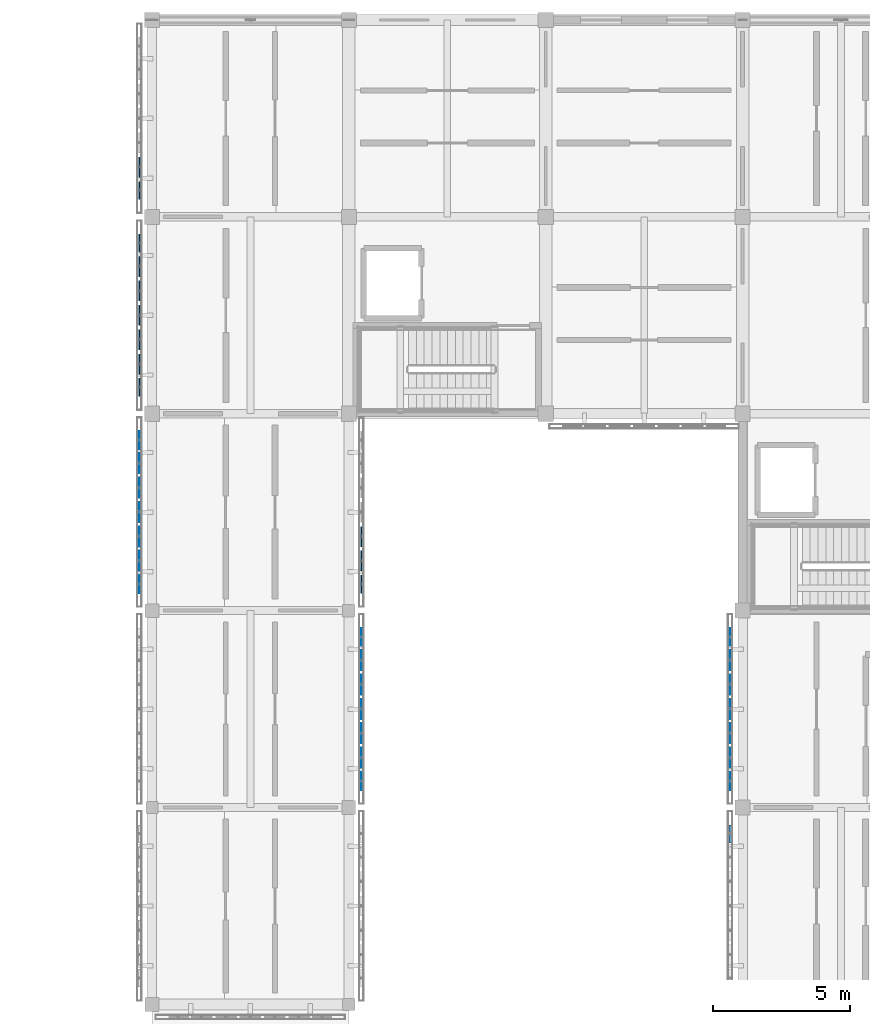
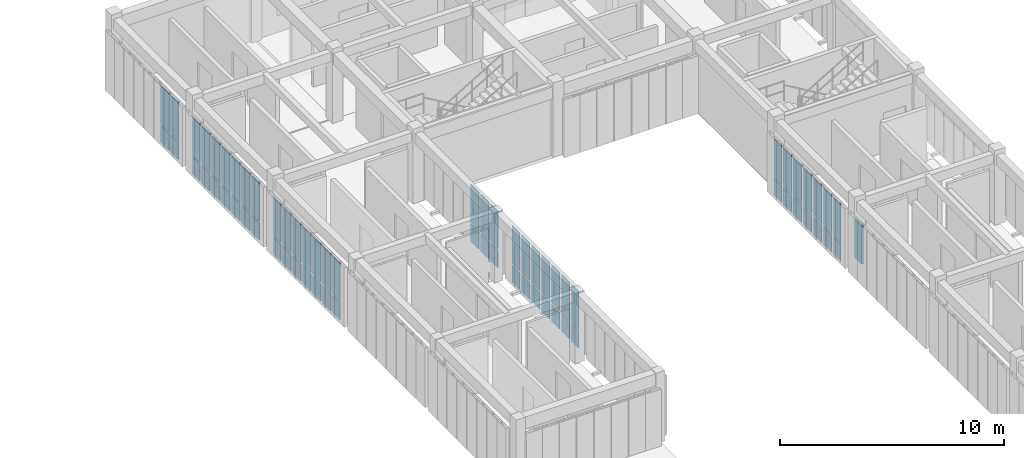
# One storey, part 48 of 67: 67 plates, 7 elements without a shape of their own.
"""IFC4 building model written with IfcOpenShell, lengths in metres."""

import ifcopenshell
import ifcopenshell.guid

model = None  # the IFC model being written
_history = None  # IfcOwnerHistory: only IFC2X3 demands one
_inside = {}  # id of a spatial element -> (the spatial element, [elements in it])
_under = {}  # id of a project, library or spatial element -> (it, [spatial elements below it])
_declared = {}  # id of a project -> (the project, [libraries it declares])
_typed = {}  # id of a type object -> (the type object, [elements of that type])
_made_of = {}  # id of a material, layer set ... -> (it, [elements and type objects made of it])


def new_model(schema):
    """Start an empty IFC model of exactly this schema.

    Asked for "IFC4X3", IfcOpenShell would pick the latest addendum, in which some entities
    have other attributes; the version numbers below select the first issue.
    IFC2X3 requires an IfcOwnerHistory on every rooted entity: one is made here for all.
    """
    global model, _history
    if schema == "IFC4X3":
        model = ifcopenshell.file(schema_version=(4, 3, 0, 0))
    else:
        model = ifcopenshell.file(schema=schema)
    _inside.clear()
    _under.clear()
    _declared.clear()
    _typed.clear()
    _made_of.clear()
    _history = None
    if model.schema == "IFC2X3":
        org = make("IfcOrganization", Name="unknown")
        user = make(
            "IfcPersonAndOrganization",
            ThePerson=make("IfcPerson", FamilyName="unknown"),
            TheOrganization=org,
        )
        app = make(
            "IfcApplication",
            ApplicationDeveloper=org,
            Version="unknown",
            ApplicationFullName="unknown",
            ApplicationIdentifier="unknown",
        )
        _history = make(
            "IfcOwnerHistory",
            OwningUser=user,
            OwningApplication=app,
            ChangeAction="ADDED",
            CreationDate=0,
        )
    return model


def make(cls, **values):
    """One entity of the class cls with the attributes given. An attribute that is None is left unset."""
    return model.create_entity(
        cls, **{name: value for name, value in values.items() if value is not None}
    )


def rooted(cls, **values):
    """An entity with a GlobalId (a new one), such as an element, a storey or a relation."""
    return make(cls, GlobalId=ifcopenshell.guid.new(), OwnerHistory=_history, **values)


def si_unit(unit_type, name, prefix=None):
    """IfcSIUnit, for example si_unit("LENGTHUNIT", "METRE", prefix="MILLI")."""
    return make("IfcSIUnit", UnitType=unit_type, Prefix=prefix, Name=name)


def assignment(units):
    """IfcUnitAssignment: the units of a project."""
    return None if units is None else make("IfcUnitAssignment", Units=units)


def point(xyz):
    """IfcCartesianPoint."""
    return None if xyz is None else make("IfcCartesianPoint", Coordinates=xyz)


def direction(xyz):
    """IfcDirection."""
    return None if xyz is None else make("IfcDirection", DirectionRatios=xyz)


def frame(location, z_axis=None, x_axis=None):
    """IfcAxis2Placement3D, a coordinate frame: its origin and axes. An axis left out is left unset."""
    return make(
        "IfcAxis2Placement3D",
        Location=point(location),
        Axis=direction(z_axis),
        RefDirection=direction(x_axis),
    )


def frame_2d(location, x_axis=None):
    """IfcAxis2Placement2D, a coordinate frame in the plane: its origin and x axis."""
    return make(
        "IfcAxis2Placement2D", Location=point(location), RefDirection=direction(x_axis)
    )


def origin():
    """The frame at (0, 0, 0) with its axes left unset."""
    return frame((0.0, 0.0, 0.0))


def origin_2d():
    """The frame at (0, 0) in the plane with its x axis left unset."""
    return frame_2d((0.0, 0.0))


def place(relative_to, where):
    """IfcLocalPlacement: puts the frame where relative to a parent placement (None: the world)."""
    return make(
        "IfcLocalPlacement", PlacementRelTo=relative_to, RelativePlacement=where
    )


def context(
    kind, dimensions, precision=None, world=None, true_north=None, identifier=None
):
    """IfcGeometricRepresentationContext, for example the 3D "Model" context."""
    return make(
        "IfcGeometricRepresentationContext",
        ContextIdentifier=identifier,
        ContextType=kind,
        CoordinateSpaceDimension=dimensions,
        Precision=precision,
        WorldCoordinateSystem=world,
        TrueNorth=true_north,
    )


def subcontext(parent, identifier, kind, view, scale=None):
    """IfcGeometricRepresentationSubContext, for example "Body" below "Model"."""
    return make(
        "IfcGeometricRepresentationSubContext",
        ContextIdentifier=identifier,
        ContextType=kind,
        ParentContext=parent,
        TargetScale=scale,
        TargetView=view,
    )


def project(units=None, contexts=None):
    """IfcProject with its units and contexts."""
    return rooted(
        "IfcProject",
        Name="project",
        RepresentationContexts=contexts,
        UnitsInContext=assignment(units),
    )


def spatial(cls, under=None, at=None, **own):
    """A site, building, storey or space (cls), placed at a placement, below another one or the project."""
    s = rooted(cls, ObjectPlacement=at, **own)
    if under is not None:
        _under.setdefault(under.id(), (under, []))[1].append(s)
    return s


def profile(cls, at=None, kind="AREA", **sizes):
    """A parametric profile (cls). Its sizes go by their IFC names, for example OverallWidth=200.0."""
    return make(cls, ProfileType=kind, Position=at, **sizes)


def rectangle(**sizes):
    """IfcRectangleProfileDef."""
    return profile("IfcRectangleProfileDef", **sizes)


def extrude(swept, where, along, depth):
    """IfcExtrudedAreaSolid: the profile swept, set in the frame where, extruded along a direction by depth."""
    return make(
        "IfcExtrudedAreaSolid",
        SweptArea=swept,
        Position=where,
        ExtrudedDirection=direction(along),
        Depth=depth,
    )


def shape(context_of_items, identifier, shape_type, items):
    """IfcShapeRepresentation: the items that make up one representation, for example the "Body"."""
    return make(
        "IfcShapeRepresentation",
        ContextOfItems=context_of_items,
        RepresentationIdentifier=identifier,
        RepresentationType=shape_type,
        Items=items,
    )


def material(Name=None, Category=None):
    """IfcMaterial."""
    return make("IfcMaterial", Name=Name, Category=Category)


def layer(
    of_material, thickness, ventilated=None, Name=None, Category=None, Priority=None
):
    """IfcMaterialLayer: one layer of a wall or slab, of a material (None: an air gap)."""
    return make(
        "IfcMaterialLayer",
        Material=of_material,
        LayerThickness=thickness,
        IsVentilated=ventilated,
        Name=Name,
        Category=Category,
        Priority=Priority,
    )


def layer_set(layers, Name=None):
    """IfcMaterialLayerSet."""
    return make("IfcMaterialLayerSet", MaterialLayers=layers, LayerSetName=Name)


def made_of(thing, what):
    """Note that an element or type object is made of a material, layer set ...; save() writes the relation."""
    if what is not None:
        _made_of.setdefault(what.id(), (what, []))[1].append(thing)
    return thing


def type_object(cls, material=None, **own):
    """A type object (cls), such as IfcWallType, which elements share."""
    return made_of(rooted(cls, **own), material)


def element(
    cls,
    number,
    at=None,
    inside=None,
    cuts=None,
    type_object=None,
    material=None,
    context=None,
    identifier="Body",
    shape_type=None,
    held_by="IfcProductDefinitionShape",
    body=None,
    shapes=None,
    **own,
):
    """One element of the class cls, such as IfcWall. Its Tag is "e" and its number.

    at: its placement. inside: the storey or other place that contains it. cuts: it is an
    opening in that element (IfcRelVoidsElement). A single representation is given by context,
    identifier, shape_type and body (its items); several are given by shapes. held_by: the class
    of the entity that holds the representations. save() writes the other relations.
    """
    e = rooted(cls, Tag="e%d" % number, ObjectPlacement=at, **own)
    if body is not None:
        shapes = [shape(context, identifier, shape_type, body)]
    if shapes is not None:
        e.Representation = make(held_by, Representations=shapes)
    if inside is not None:
        _inside.setdefault(inside.id(), (inside, []))[1].append(e)
    if cuts is not None:
        rooted(
            "IfcRelVoidsElement", RelatingBuildingElement=cuts, RelatedOpeningElement=e
        )
    if type_object is not None:
        _typed.setdefault(type_object.id(), (type_object, []))[1].append(e)
    return made_of(e, material)


def aggregate(whole, parts):
    """IfcRelAggregates: a whole, such as a stair, and the parts it consists of."""
    return rooted("IfcRelAggregates", RelatingObject=whole, RelatedObjects=parts)


def save(model, path):
    """Write the relations noted so far, then the file.

    IfcRelAggregates (storeys below a building ...), IfcRelContainedInSpatialStructure (elements
    in a storey), IfcRelDefinesByType, IfcRelAssociatesMaterial and IfcRelDeclares: one each for
    every whole, place, type object, material and project.
    """
    for whole, parts in _under.values():
        aggregate(whole, parts)
    for where, things in _inside.values():
        rooted(
            "IfcRelContainedInSpatialStructure",
            RelatedElements=things,
            RelatingStructure=where,
        )
    for kind, things in _typed.values():
        rooted("IfcRelDefinesByType", RelatedObjects=things, RelatingType=kind)
    for what, things in _made_of.values():
        rooted("IfcRelAssociatesMaterial", RelatedObjects=things, RelatingMaterial=what)
    for by, libraries in _declared.values():
        rooted("IfcRelDeclares", RelatingContext=by, RelatedDefinitions=libraries)
    model.write(path)


model = new_model("IFC4")

# Units and contexts
model_context = context("Model", 3, precision=1e-05, world=origin(), true_north=direction((0.0, 1.0)))
body_context = subcontext(model_context, "Body", "Model", "MODEL_VIEW")
ifc_project = project(units=[si_unit("LENGTHUNIT", "METRE"), si_unit("AREAUNIT", "SQUARE_METRE"), si_unit("VOLUMEUNIT", "CUBIC_METRE"), si_unit("PLANEANGLEUNIT", "RADIAN"), si_unit("MASSUNIT", "GRAM", prefix="KILO")], contexts=[model_context])

# Site, building, storey
site_placement = place(None, origin())
site = spatial("IfcSite", under=ifc_project, at=site_placement, CompositionType="ELEMENT")
building_placement = place(site_placement, origin())
building = spatial("IfcBuilding", under=site, at=building_placement, Name="Aldebral Square Health Centre", CompositionType="ELEMENT")
storey_placement = place(building_placement, frame((0.0, 0.0, 13.5)))
storey = spatial("IfcBuildingStorey", under=building, at=storey_placement, Name="L03", CompositionType="ELEMENT", Elevation=13.5)

# Curtain wall, plates
ifc_material_1 = material(Name="Aluminium and low-E solar glass", Category="aluminium")
curtain_wall_type = type_object("IfcCurtainWallType", Name="CW-FIN-SYS", PredefinedType="USERDEFINED", material=ifc_material_1)
curtain_wall_1_placement = place(storey_placement, origin())
curtain_wall_1 = element("IfcCurtainWall", 1, at=curtain_wall_1_placement, inside=storey, type_object=curtain_wall_type, Name="L03 V5 finned curtain wall L03-V5-19-12-E", ObjectType="SOLAR_CURTAIN_WALL", PredefinedType="USERDEFINED")
ifc_material_2 = material(Name="Solar-control low-E double glass", Category="glass")
ifc_layer_1 = layer(ifc_material_2, 0.02001953125, Name="Solar-control low-E double glass", Category="glass")
ifc_layer_set_1 = layer_set([ifc_layer_1], Name="Solar-control low-E double glass")
plate_type_1 = type_object("IfcPlateType", Name="CWP-GLZ-1", PredefinedType="CURTAIN_PANEL", material=ifc_layer_set_1)
plate_1_placement = place(storey_placement, frame((144.4599609375, 87.36572265625, 0.074951171875), z_axis=(0.0, 0.0, 1.0), x_axis=(0.0, 1.0, 0.0)))
plate_1 = element("IfcPlate", 2, at=plate_1_placement, type_object=plate_type_1, Name="CW1 panel 1.1", PredefinedType="CURTAIN_PANEL", context=body_context, shape_type="SweptSolid", body=[
    extrude(rectangle(XDim=0.6513671875, YDim=0.02001953125, at=origin_2d()), origin(), (0.0, 0.0, 1.0), 0.9375),
])
plate_2_placement = place(storey_placement, frame((144.4599609375, 87.36572265625, 1.08740234375), z_axis=(0.0, 0.0, 1.0), x_axis=(0.0, 1.0, 0.0)))
plate_2 = element("IfcPlate", 3, at=plate_2_placement, type_object=plate_type_1, Name="CW1 panel 1.2", PredefinedType="CURTAIN_PANEL", context=body_context, shape_type="SweptSolid", body=[
    extrude(rectangle(XDim=0.6513671875, YDim=0.02001953125, at=origin_2d()), origin(), (0.0, 0.0, 1.0), 2.077392578125),
])
plate_3_placement = place(storey_placement, frame((144.4599609375, 88.217041015625, 0.074951171875), z_axis=(0.0, 0.0, 1.0), x_axis=(0.0, 1.0, 0.0)))
plate_3 = element("IfcPlate", 4, at=plate_3_placement, type_object=plate_type_1, Name="CW1 panel 2.1", PredefinedType="CURTAIN_PANEL", context=body_context, shape_type="SweptSolid", body=[
    extrude(rectangle(XDim=0.7314453125, YDim=0.02001953125, at=origin_2d()), origin(), (0.0, 0.0, 1.0), 0.9375),
])
plate_4_placement = place(storey_placement, frame((144.4599609375, 88.217041015625, 1.08740234375), z_axis=(0.0, 0.0, 1.0), x_axis=(0.0, 1.0, 0.0)))
plate_4 = element("IfcPlate", 5, at=plate_4_placement, type_object=plate_type_1, Name="CW1 panel 2.2", PredefinedType="CURTAIN_PANEL", context=body_context, shape_type="SweptSolid", body=[
    extrude(rectangle(XDim=0.7314453125, YDim=0.02001953125, at=origin_2d()), origin(), (0.0, 0.0, 1.0), 2.077392578125),
])
plate_5_placement = place(storey_placement, frame((144.4599609375, 89.108642578125, 0.074951171875), z_axis=(0.0, 0.0, 1.0), x_axis=(0.0, 1.0, 0.0)))
plate_5 = element("IfcPlate", 6, at=plate_5_placement, type_object=plate_type_1, Name="CW1 panel 3.1", PredefinedType="CURTAIN_PANEL", context=body_context, shape_type="SweptSolid", body=[
    extrude(rectangle(XDim=0.7314453125, YDim=0.02001953125, at=origin_2d()), origin(), (0.0, 0.0, 1.0), 0.9375),
])
plate_6_placement = place(storey_placement, frame((144.4599609375, 89.108642578125, 1.08740234375), z_axis=(0.0, 0.0, 1.0), x_axis=(0.0, 1.0, 0.0)))
plate_6 = element("IfcPlate", 7, at=plate_6_placement, type_object=plate_type_1, Name="CW1 panel 3.2", PredefinedType="CURTAIN_PANEL", context=body_context, shape_type="SweptSolid", body=[
    extrude(rectangle(XDim=0.7314453125, YDim=0.02001953125, at=origin_2d()), origin(), (0.0, 0.0, 1.0), 2.077392578125),
])
plate_7_placement = place(storey_placement, frame((144.4599609375, 90.0, 0.074951171875), z_axis=(0.0, 0.0, 1.0), x_axis=(0.0, 1.0, 0.0)))
plate_7 = element("IfcPlate", 8, at=plate_7_placement, type_object=plate_type_1, Name="CW1 panel 4.1", PredefinedType="CURTAIN_PANEL", context=body_context, shape_type="SweptSolid", body=[
    extrude(rectangle(XDim=0.7314453125, YDim=0.02001953125, at=origin_2d()), origin(), (0.0, 0.0, 1.0), 0.9375),
])
plate_8_placement = place(storey_placement, frame((144.4599609375, 90.0, 1.08740234375), z_axis=(0.0, 0.0, 1.0), x_axis=(0.0, 1.0, 0.0)))
plate_8 = element("IfcPlate", 9, at=plate_8_placement, type_object=plate_type_1, Name="CW1 panel 4.2", PredefinedType="CURTAIN_PANEL", context=body_context, shape_type="SweptSolid", body=[
    extrude(rectangle(XDim=0.7314453125, YDim=0.02001953125, at=origin_2d()), origin(), (0.0, 0.0, 1.0), 2.077392578125),
])
plate_9_placement = place(storey_placement, frame((144.4599609375, 90.891357421875, 0.074951171875), z_axis=(0.0, 0.0, 1.0), x_axis=(0.0, 1.0, 0.0)))
plate_9 = element("IfcPlate", 10, at=plate_9_placement, type_object=plate_type_1, Name="CW1 panel 5.1", PredefinedType="CURTAIN_PANEL", context=body_context, shape_type="SweptSolid", body=[
    extrude(rectangle(XDim=0.7314453125, YDim=0.02001953125, at=origin_2d()), origin(), (0.0, 0.0, 1.0), 0.9375),
])
plate_10_placement = place(storey_placement, frame((144.4599609375, 90.891357421875, 1.08740234375), z_axis=(0.0, 0.0, 1.0), x_axis=(0.0, 1.0, 0.0)))
plate_10 = element("IfcPlate", 11, at=plate_10_placement, type_object=plate_type_1, Name="CW1 panel 5.2", PredefinedType="CURTAIN_PANEL", context=body_context, shape_type="SweptSolid", body=[
    extrude(rectangle(XDim=0.7314453125, YDim=0.02001953125, at=origin_2d()), origin(), (0.0, 0.0, 1.0), 2.077392578125),
])
plate_11_placement = place(storey_placement, frame((144.4599609375, 91.782958984375, 0.074951171875), z_axis=(0.0, 0.0, 1.0), x_axis=(0.0, 1.0, 0.0)))
plate_11 = element("IfcPlate", 12, at=plate_11_placement, type_object=plate_type_1, Name="CW1 panel 6.1", PredefinedType="CURTAIN_PANEL", context=body_context, shape_type="SweptSolid", body=[
    extrude(rectangle(XDim=0.7314453125, YDim=0.02001953125, at=origin_2d()), origin(), (0.0, 0.0, 1.0), 0.9375),
])
plate_12_placement = place(storey_placement, frame((144.4599609375, 91.782958984375, 1.08740234375), z_axis=(0.0, 0.0, 1.0), x_axis=(0.0, 1.0, 0.0)))
plate_12 = element("IfcPlate", 13, at=plate_12_placement, type_object=plate_type_1, Name="CW1 panel 6.2", PredefinedType="CURTAIN_PANEL", context=body_context, shape_type="SweptSolid", body=[
    extrude(rectangle(XDim=0.7314453125, YDim=0.02001953125, at=origin_2d()), origin(), (0.0, 0.0, 1.0), 2.077392578125),
])
plate_13_placement = place(storey_placement, frame((144.4599609375, 92.63427734375, 0.074951171875), z_axis=(0.0, 0.0, 1.0), x_axis=(0.0, 1.0, 0.0)))
plate_13 = element("IfcPlate", 14, at=plate_13_placement, type_object=plate_type_1, Name="CW1 panel 7.1", PredefinedType="CURTAIN_PANEL", context=body_context, shape_type="SweptSolid", body=[
    extrude(rectangle(XDim=0.6513671875, YDim=0.02001953125, at=origin_2d()), origin(), (0.0, 0.0, 1.0), 0.9375),
])
plate_14_placement = place(storey_placement, frame((144.4599609375, 92.63427734375, 1.08740234375), z_axis=(0.0, 0.0, 1.0), x_axis=(0.0, 1.0, 0.0)))
plate_14 = element("IfcPlate", 15, at=plate_14_placement, type_object=plate_type_1, Name="CW1 panel 7.2", PredefinedType="CURTAIN_PANEL", context=body_context, shape_type="SweptSolid", body=[
    extrude(rectangle(XDim=0.6513671875, YDim=0.02001953125, at=origin_2d()), origin(), (0.0, 0.0, 1.0), 2.077392578125),
])
aggregate(curtain_wall_1, [plate_1, plate_2, plate_3, plate_4, plate_5, plate_6, plate_7, plate_8, plate_9, plate_10, plate_11, plate_12, plate_13, plate_14])

curtain_wall_2_placement = place(storey_placement, origin())
curtain_wall_2 = element("IfcCurtainWall", 16, at=curtain_wall_2_placement, inside=storey, type_object=curtain_wall_type, Name="L03 V5 finned curtain wall L03-V5-19-13-W", ObjectType="SOLAR_CURTAIN_WALL", PredefinedType="USERDEFINED")
ifc_layer_2 = layer(ifc_material_2, 0.030029296875, Name="Solar-control low-E double glass", Category="glass")
ifc_layer_set_2 = layer_set([ifc_layer_2], Name="Solar-control low-E double glass")
plate_type_2 = type_object("IfcPlateType", Name="CWP-GLZ-2", PredefinedType="CURTAIN_PANEL", material=ifc_layer_set_2)
plate_15_placement = place(storey_placement, frame((136.340087890625, 99.834228515625, 0.074951171875), z_axis=(0.0, 0.0, 1.0), x_axis=(0.0, -1.0, 0.0)))
plate_15 = element("IfcPlate", 17, at=plate_15_placement, type_object=plate_type_2, Name="CW1 panel 1.1", PredefinedType="CURTAIN_PANEL", context=body_context, shape_type="SweptSolid", body=[
    extrude(rectangle(XDim=0.6513671875, YDim=0.030029296875, at=origin_2d()), origin(), (0.0, 0.0, 1.0), 0.9375),
])
plate_16_placement = place(storey_placement, frame((136.340087890625, 99.834228515625, 1.08740234375), z_axis=(0.0, 0.0, 1.0), x_axis=(0.0, -1.0, 0.0)))
plate_16 = element("IfcPlate", 18, at=plate_16_placement, type_object=plate_type_2, Name="CW1 panel 1.2", PredefinedType="CURTAIN_PANEL", context=body_context, shape_type="SweptSolid", body=[
    extrude(rectangle(XDim=0.6513671875, YDim=0.030029296875, at=origin_2d()), origin(), (0.0, 0.0, 1.0), 2.077392578125),
])
plate_17_placement = place(storey_placement, frame((136.340087890625, 98.98291015625, 0.074951171875), z_axis=(0.0, 0.0, 1.0), x_axis=(0.0, -1.0, 0.0)))
plate_17 = element("IfcPlate", 19, at=plate_17_placement, type_object=plate_type_2, Name="CW1 panel 2.1", PredefinedType="CURTAIN_PANEL", context=body_context, shape_type="SweptSolid", body=[
    extrude(rectangle(XDim=0.7314453125, YDim=0.030029296875, at=origin_2d()), origin(), (0.0, 0.0, 1.0), 0.9375),
])
plate_18_placement = place(storey_placement, frame((136.340087890625, 98.98291015625, 1.08740234375), z_axis=(0.0, 0.0, 1.0), x_axis=(0.0, -1.0, 0.0)))
plate_18 = element("IfcPlate", 20, at=plate_18_placement, type_object=plate_type_2, Name="CW1 panel 2.2", PredefinedType="CURTAIN_PANEL", context=body_context, shape_type="SweptSolid", body=[
    extrude(rectangle(XDim=0.7314453125, YDim=0.030029296875, at=origin_2d()), origin(), (0.0, 0.0, 1.0), 2.077392578125),
])
plate_19_placement = place(storey_placement, frame((136.340087890625, 98.09130859375, 0.074951171875), z_axis=(0.0, 0.0, 1.0), x_axis=(0.0, -1.0, 0.0)))
plate_19 = element("IfcPlate", 21, at=plate_19_placement, type_object=plate_type_2, Name="CW1 panel 3.1", PredefinedType="CURTAIN_PANEL", context=body_context, shape_type="SweptSolid", body=[
    extrude(rectangle(XDim=0.7314453125, YDim=0.030029296875, at=origin_2d()), origin(), (0.0, 0.0, 1.0), 0.9375),
])
plate_20_placement = place(storey_placement, frame((136.340087890625, 98.09130859375, 1.08740234375), z_axis=(0.0, 0.0, 1.0), x_axis=(0.0, -1.0, 0.0)))
plate_20 = element("IfcPlate", 22, at=plate_20_placement, type_object=plate_type_2, Name="CW1 panel 3.2", PredefinedType="CURTAIN_PANEL", context=body_context, shape_type="SweptSolid", body=[
    extrude(rectangle(XDim=0.7314453125, YDim=0.030029296875, at=origin_2d()), origin(), (0.0, 0.0, 1.0), 2.077392578125),
])
plate_21_placement = place(storey_placement, frame((136.340087890625, 97.199951171875, 0.074951171875), z_axis=(0.0, 0.0, 1.0), x_axis=(0.0, -1.0, 0.0)))
plate_21 = element("IfcPlate", 23, at=plate_21_placement, type_object=plate_type_2, Name="CW1 panel 4.1", PredefinedType="CURTAIN_PANEL", context=body_context, shape_type="SweptSolid", body=[
    extrude(rectangle(XDim=0.7314453125, YDim=0.030029296875, at=origin_2d()), origin(), (0.0, 0.0, 1.0), 0.9375),
])
plate_22_placement = place(storey_placement, frame((136.340087890625, 97.199951171875, 1.08740234375), z_axis=(0.0, 0.0, 1.0), x_axis=(0.0, -1.0, 0.0)))
plate_22 = element("IfcPlate", 24, at=plate_22_placement, type_object=plate_type_2, Name="CW1 panel 4.2", PredefinedType="CURTAIN_PANEL", context=body_context, shape_type="SweptSolid", body=[
    extrude(rectangle(XDim=0.7314453125, YDim=0.030029296875, at=origin_2d()), origin(), (0.0, 0.0, 1.0), 2.077392578125),
])
plate_23_placement = place(storey_placement, frame((136.340087890625, 96.30859375, 0.074951171875), z_axis=(0.0, 0.0, 1.0), x_axis=(0.0, -1.0, 0.0)))
plate_23 = element("IfcPlate", 25, at=plate_23_placement, type_object=plate_type_2, Name="CW1 panel 5.1", PredefinedType="CURTAIN_PANEL", context=body_context, shape_type="SweptSolid", body=[
    extrude(rectangle(XDim=0.7314453125, YDim=0.030029296875, at=origin_2d()), origin(), (0.0, 0.0, 1.0), 0.9375),
])
plate_24_placement = place(storey_placement, frame((136.340087890625, 96.30859375, 1.08740234375), z_axis=(0.0, 0.0, 1.0), x_axis=(0.0, -1.0, 0.0)))
plate_24 = element("IfcPlate", 26, at=plate_24_placement, type_object=plate_type_2, Name="CW1 panel 5.2", PredefinedType="CURTAIN_PANEL", context=body_context, shape_type="SweptSolid", body=[
    extrude(rectangle(XDim=0.7314453125, YDim=0.030029296875, at=origin_2d()), origin(), (0.0, 0.0, 1.0), 2.077392578125),
])
plate_25_placement = place(storey_placement, frame((136.340087890625, 95.417236328125, 0.074951171875), z_axis=(0.0, 0.0, 1.0), x_axis=(0.0, -1.0, 0.0)))
plate_25 = element("IfcPlate", 27, at=plate_25_placement, type_object=plate_type_2, Name="CW1 panel 6.1", PredefinedType="CURTAIN_PANEL", context=body_context, shape_type="SweptSolid", body=[
    extrude(rectangle(XDim=0.7314453125, YDim=0.030029296875, at=origin_2d()), origin(), (0.0, 0.0, 1.0), 0.9375),
])
plate_26_placement = place(storey_placement, frame((136.340087890625, 95.417236328125, 1.08740234375), z_axis=(0.0, 0.0, 1.0), x_axis=(0.0, -1.0, 0.0)))
plate_26 = element("IfcPlate", 28, at=plate_26_placement, type_object=plate_type_2, Name="CW1 panel 6.2", PredefinedType="CURTAIN_PANEL", context=body_context, shape_type="SweptSolid", body=[
    extrude(rectangle(XDim=0.7314453125, YDim=0.030029296875, at=origin_2d()), origin(), (0.0, 0.0, 1.0), 2.077392578125),
])
plate_27_placement = place(storey_placement, frame((136.340087890625, 94.565673828125, 0.074951171875), z_axis=(0.0, 0.0, 1.0), x_axis=(0.0, -1.0, 0.0)))
plate_27 = element("IfcPlate", 29, at=plate_27_placement, type_object=plate_type_2, Name="CW1 panel 7.1", PredefinedType="CURTAIN_PANEL", context=body_context, shape_type="SweptSolid", body=[
    extrude(rectangle(XDim=0.6513671875, YDim=0.030029296875, at=origin_2d()), origin(), (0.0, 0.0, 1.0), 0.9375),
])
plate_28_placement = place(storey_placement, frame((136.340087890625, 94.565673828125, 1.08740234375), z_axis=(0.0, 0.0, 1.0), x_axis=(0.0, -1.0, 0.0)))
plate_28 = element("IfcPlate", 30, at=plate_28_placement, type_object=plate_type_2, Name="CW1 panel 7.2", PredefinedType="CURTAIN_PANEL", context=body_context, shape_type="SweptSolid", body=[
    extrude(rectangle(XDim=0.6513671875, YDim=0.030029296875, at=origin_2d()), origin(), (0.0, 0.0, 1.0), 2.077392578125),
])
aggregate(curtain_wall_2, [plate_15, plate_16, plate_17, plate_18, plate_19, plate_20, plate_21, plate_22, plate_23, plate_24, plate_25, plate_26, plate_27, plate_28])

curtain_wall_3_placement = place(storey_placement, origin())
curtain_wall_3 = element("IfcCurtainWall", 31, at=curtain_wall_3_placement, inside=storey, type_object=curtain_wall_type, Name="L03 V5 finned curtain wall L03-V5-22-12-W", ObjectType="SOLAR_CURTAIN_WALL", PredefinedType="USERDEFINED")
plate_29_placement = place(storey_placement, frame((157.93994140625, 92.63427734375, 0.074951171875), z_axis=(0.0, 0.0, 1.0), x_axis=(0.0, -1.0, 0.0)))
plate_29 = element("IfcPlate", 32, at=plate_29_placement, type_object=plate_type_2, Name="CW1 panel 1.1", PredefinedType="CURTAIN_PANEL", context=body_context, shape_type="SweptSolid", body=[
    extrude(rectangle(XDim=0.6513671875, YDim=0.030029296875, at=origin_2d()), origin(), (0.0, 0.0, 1.0), 0.9375),
])
plate_30_placement = place(storey_placement, frame((157.93994140625, 92.63427734375, 1.08740234375), z_axis=(0.0, 0.0, 1.0), x_axis=(0.0, -1.0, 0.0)))
plate_30 = element("IfcPlate", 33, at=plate_30_placement, type_object=plate_type_2, Name="CW1 panel 1.2", PredefinedType="CURTAIN_PANEL", context=body_context, shape_type="SweptSolid", body=[
    extrude(rectangle(XDim=0.6513671875, YDim=0.030029296875, at=origin_2d()), origin(), (0.0, 0.0, 1.0), 2.077392578125),
])
plate_31_placement = place(storey_placement, frame((157.93994140625, 91.782958984375, 0.074951171875), z_axis=(0.0, 0.0, 1.0), x_axis=(0.0, -1.0, 0.0)))
plate_31 = element("IfcPlate", 34, at=plate_31_placement, type_object=plate_type_2, Name="CW1 panel 2.1", PredefinedType="CURTAIN_PANEL", context=body_context, shape_type="SweptSolid", body=[
    extrude(rectangle(XDim=0.7314453125, YDim=0.030029296875, at=origin_2d()), origin(), (0.0, 0.0, 1.0), 0.9375),
])
plate_32_placement = place(storey_placement, frame((157.93994140625, 91.782958984375, 1.08740234375), z_axis=(0.0, 0.0, 1.0), x_axis=(0.0, -1.0, 0.0)))
plate_32 = element("IfcPlate", 35, at=plate_32_placement, type_object=plate_type_2, Name="CW1 panel 2.2", PredefinedType="CURTAIN_PANEL", context=body_context, shape_type="SweptSolid", body=[
    extrude(rectangle(XDim=0.7314453125, YDim=0.030029296875, at=origin_2d()), origin(), (0.0, 0.0, 1.0), 2.077392578125),
])
plate_33_placement = place(storey_placement, frame((157.93994140625, 90.891357421875, 0.074951171875), z_axis=(0.0, 0.0, 1.0), x_axis=(0.0, -1.0, 0.0)))
plate_33 = element("IfcPlate", 36, at=plate_33_placement, type_object=plate_type_2, Name="CW1 panel 3.1", PredefinedType="CURTAIN_PANEL", context=body_context, shape_type="SweptSolid", body=[
    extrude(rectangle(XDim=0.7314453125, YDim=0.030029296875, at=origin_2d()), origin(), (0.0, 0.0, 1.0), 0.9375),
])
plate_34_placement = place(storey_placement, frame((157.93994140625, 90.891357421875, 1.08740234375), z_axis=(0.0, 0.0, 1.0), x_axis=(0.0, -1.0, 0.0)))
plate_34 = element("IfcPlate", 37, at=plate_34_placement, type_object=plate_type_2, Name="CW1 panel 3.2", PredefinedType="CURTAIN_PANEL", context=body_context, shape_type="SweptSolid", body=[
    extrude(rectangle(XDim=0.7314453125, YDim=0.030029296875, at=origin_2d()), origin(), (0.0, 0.0, 1.0), 2.077392578125),
])
plate_35_placement = place(storey_placement, frame((157.93994140625, 90.0, 0.074951171875), z_axis=(0.0, 0.0, 1.0), x_axis=(0.0, -1.0, 0.0)))
plate_35 = element("IfcPlate", 38, at=plate_35_placement, type_object=plate_type_2, Name="CW1 panel 4.1", PredefinedType="CURTAIN_PANEL", context=body_context, shape_type="SweptSolid", body=[
    extrude(rectangle(XDim=0.7314453125, YDim=0.030029296875, at=origin_2d()), origin(), (0.0, 0.0, 1.0), 0.9375),
])
plate_36_placement = place(storey_placement, frame((157.93994140625, 90.0, 1.08740234375), z_axis=(0.0, 0.0, 1.0), x_axis=(0.0, -1.0, 0.0)))
plate_36 = element("IfcPlate", 39, at=plate_36_placement, type_object=plate_type_2, Name="CW1 panel 4.2", PredefinedType="CURTAIN_PANEL", context=body_context, shape_type="SweptSolid", body=[
    extrude(rectangle(XDim=0.7314453125, YDim=0.030029296875, at=origin_2d()), origin(), (0.0, 0.0, 1.0), 2.077392578125),
])
plate_37_placement = place(storey_placement, frame((157.93994140625, 89.108642578125, 0.074951171875), z_axis=(0.0, 0.0, 1.0), x_axis=(0.0, -1.0, 0.0)))
plate_37 = element("IfcPlate", 40, at=plate_37_placement, type_object=plate_type_2, Name="CW1 panel 5.1", PredefinedType="CURTAIN_PANEL", context=body_context, shape_type="SweptSolid", body=[
    extrude(rectangle(XDim=0.7314453125, YDim=0.030029296875, at=origin_2d()), origin(), (0.0, 0.0, 1.0), 0.9375),
])
plate_38_placement = place(storey_placement, frame((157.93994140625, 89.108642578125, 1.08740234375), z_axis=(0.0, 0.0, 1.0), x_axis=(0.0, -1.0, 0.0)))
plate_38 = element("IfcPlate", 41, at=plate_38_placement, type_object=plate_type_2, Name="CW1 panel 5.2", PredefinedType="CURTAIN_PANEL", context=body_context, shape_type="SweptSolid", body=[
    extrude(rectangle(XDim=0.7314453125, YDim=0.030029296875, at=origin_2d()), origin(), (0.0, 0.0, 1.0), 2.077392578125),
])
plate_39_placement = place(storey_placement, frame((157.93994140625, 88.217041015625, 0.074951171875), z_axis=(0.0, 0.0, 1.0), x_axis=(0.0, -1.0, 0.0)))
plate_39 = element("IfcPlate", 42, at=plate_39_placement, type_object=plate_type_2, Name="CW1 panel 6.1", PredefinedType="CURTAIN_PANEL", context=body_context, shape_type="SweptSolid", body=[
    extrude(rectangle(XDim=0.7314453125, YDim=0.030029296875, at=origin_2d()), origin(), (0.0, 0.0, 1.0), 0.9375),
])
plate_40_placement = place(storey_placement, frame((157.93994140625, 88.217041015625, 1.08740234375), z_axis=(0.0, 0.0, 1.0), x_axis=(0.0, -1.0, 0.0)))
plate_40 = element("IfcPlate", 43, at=plate_40_placement, type_object=plate_type_2, Name="CW1 panel 6.2", PredefinedType="CURTAIN_PANEL", context=body_context, shape_type="SweptSolid", body=[
    extrude(rectangle(XDim=0.7314453125, YDim=0.030029296875, at=origin_2d()), origin(), (0.0, 0.0, 1.0), 2.077392578125),
])
plate_41_placement = place(storey_placement, frame((157.93994140625, 87.36572265625, 0.074951171875), z_axis=(0.0, 0.0, 1.0), x_axis=(0.0, -1.0, 0.0)))
plate_41 = element("IfcPlate", 44, at=plate_41_placement, type_object=plate_type_2, Name="CW1 panel 7.1", PredefinedType="CURTAIN_PANEL", context=body_context, shape_type="SweptSolid", body=[
    extrude(rectangle(XDim=0.6513671875, YDim=0.030029296875, at=origin_2d()), origin(), (0.0, 0.0, 1.0), 0.9375),
])
plate_42_placement = place(storey_placement, frame((157.93994140625, 87.36572265625, 1.08740234375), z_axis=(0.0, 0.0, 1.0), x_axis=(0.0, -1.0, 0.0)))
plate_42 = element("IfcPlate", 45, at=plate_42_placement, type_object=plate_type_2, Name="CW1 panel 7.2", PredefinedType="CURTAIN_PANEL", context=body_context, shape_type="SweptSolid", body=[
    extrude(rectangle(XDim=0.6513671875, YDim=0.030029296875, at=origin_2d()), origin(), (0.0, 0.0, 1.0), 2.077392578125),
])
aggregate(curtain_wall_3, [plate_29, plate_30, plate_31, plate_32, plate_33, plate_34, plate_35, plate_36, plate_37, plate_38, plate_39, plate_40, plate_41, plate_42])

curtain_wall_4_placement = place(storey_placement, origin())
curtain_wall_4 = element("IfcCurtainWall", 46, at=curtain_wall_4_placement, inside=storey, type_object=curtain_wall_type, Name="L03 V5 finned curtain wall L03-V5-19-13-E", ObjectType="SOLAR_CURTAIN_WALL", PredefinedType="USERDEFINED")
ifc_layer_3 = layer(ifc_material_2, 0.0400390625, Name="Solar-control low-E double glass", Category="glass")
ifc_layer_set_3 = layer_set([ifc_layer_3], Name="Solar-control low-E double glass")
plate_type_3 = type_object("IfcPlateType", Name="CWP-GLZ-3", PredefinedType="CURTAIN_PANEL", material=ifc_layer_set_3)
plate_43_placement = place(storey_placement, frame((144.4599609375, 94.565673828125, 0.074951171875), z_axis=(0.0, 0.0, 1.0), x_axis=(0.0, 1.0, 0.0)))
plate_43 = element("IfcPlate", 47, at=plate_43_placement, type_object=plate_type_3, Name="CW1 panel 1.1", PredefinedType="CURTAIN_PANEL", context=body_context, shape_type="SweptSolid", body=[
    extrude(rectangle(XDim=0.6513671875, YDim=0.0400390625, at=origin_2d()), origin(), (0.0, 0.0, 1.0), 0.9375),
])
plate_44_placement = place(storey_placement, frame((144.4599609375, 94.565673828125, 1.08740234375), z_axis=(0.0, 0.0, 1.0), x_axis=(0.0, 1.0, 0.0)))
plate_44 = element("IfcPlate", 48, at=plate_44_placement, type_object=plate_type_3, Name="CW1 panel 1.2", PredefinedType="CURTAIN_PANEL", context=body_context, shape_type="SweptSolid", body=[
    extrude(rectangle(XDim=0.6513671875, YDim=0.0400390625, at=origin_2d()), origin(), (0.0, 0.0, 1.0), 2.077392578125),
])
plate_45_placement = place(storey_placement, frame((144.4599609375, 95.417236328125, 0.074951171875), z_axis=(0.0, 0.0, 1.0), x_axis=(0.0, 1.0, 0.0)))
plate_45 = element("IfcPlate", 49, at=plate_45_placement, type_object=plate_type_3, Name="CW1 panel 2.1", PredefinedType="CURTAIN_PANEL", context=body_context, shape_type="SweptSolid", body=[
    extrude(rectangle(XDim=0.7314453125, YDim=0.0400390625, at=origin_2d()), origin(), (0.0, 0.0, 1.0), 0.9375),
])
plate_46_placement = place(storey_placement, frame((144.4599609375, 95.417236328125, 1.08740234375), z_axis=(0.0, 0.0, 1.0), x_axis=(0.0, 1.0, 0.0)))
plate_46 = element("IfcPlate", 50, at=plate_46_placement, type_object=plate_type_3, Name="CW1 panel 2.2", PredefinedType="CURTAIN_PANEL", context=body_context, shape_type="SweptSolid", body=[
    extrude(rectangle(XDim=0.7314453125, YDim=0.0400390625, at=origin_2d()), origin(), (0.0, 0.0, 1.0), 2.077392578125),
])
plate_47_placement = place(storey_placement, frame((144.4599609375, 96.30859375, 0.074951171875), z_axis=(0.0, 0.0, 1.0), x_axis=(0.0, 1.0, 0.0)))
plate_47 = element("IfcPlate", 51, at=plate_47_placement, type_object=plate_type_3, Name="CW1 panel 3.1", PredefinedType="CURTAIN_PANEL", context=body_context, shape_type="SweptSolid", body=[
    extrude(rectangle(XDim=0.7314453125, YDim=0.0400390625, at=origin_2d()), origin(), (0.0, 0.0, 1.0), 0.9375),
])
plate_48_placement = place(storey_placement, frame((144.4599609375, 96.30859375, 1.08740234375), z_axis=(0.0, 0.0, 1.0), x_axis=(0.0, 1.0, 0.0)))
plate_48 = element("IfcPlate", 52, at=plate_48_placement, type_object=plate_type_3, Name="CW1 panel 3.2", PredefinedType="CURTAIN_PANEL", context=body_context, shape_type="SweptSolid", body=[
    extrude(rectangle(XDim=0.7314453125, YDim=0.0400390625, at=origin_2d()), origin(), (0.0, 0.0, 1.0), 2.077392578125),
])
aggregate(curtain_wall_4, [plate_43, plate_44, plate_45, plate_46, plate_47, plate_48])

curtain_wall_5_placement = place(storey_placement, origin())
curtain_wall_5 = element("IfcCurtainWall", 53, at=curtain_wall_5_placement, inside=storey, type_object=curtain_wall_type, Name="L03 V5 finned curtain wall L03-V5-19-14-W", ObjectType="SOLAR_CURTAIN_WALL", PredefinedType="USERDEFINED")
ifc_layer_4 = layer(ifc_material_2, 0.050048828125, Name="Solar-control low-E double glass", Category="glass")
ifc_layer_set_4 = layer_set([ifc_layer_4], Name="Solar-control low-E double glass")
plate_type_4 = type_object("IfcPlateType", Name="CWP-GLZ-4", PredefinedType="CURTAIN_PANEL", material=ifc_layer_set_4)
plate_49_placement = place(storey_placement, frame((136.340087890625, 107.0341796875, 0.074951171875), z_axis=(0.0, 0.0, 1.0), x_axis=(0.0, -1.0, 0.0)))
plate_49 = element("IfcPlate", 54, at=plate_49_placement, type_object=plate_type_4, Name="CW1 panel 1.1", PredefinedType="CURTAIN_PANEL", context=body_context, shape_type="SweptSolid", body=[
    extrude(rectangle(XDim=0.6513671875, YDim=0.050048828125, at=origin_2d()), origin(), (0.0, 0.0, 1.0), 0.9375),
])
plate_50_placement = place(storey_placement, frame((136.340087890625, 107.0341796875, 1.08740234375), z_axis=(0.0, 0.0, 1.0), x_axis=(0.0, -1.0, 0.0)))
plate_50 = element("IfcPlate", 55, at=plate_50_placement, type_object=plate_type_4, Name="CW1 panel 1.2", PredefinedType="CURTAIN_PANEL", context=body_context, shape_type="SweptSolid", body=[
    extrude(rectangle(XDim=0.6513671875, YDim=0.050048828125, at=origin_2d()), origin(), (0.0, 0.0, 1.0), 2.077392578125),
])
plate_51_placement = place(storey_placement, frame((136.340087890625, 106.182861328125, 0.074951171875), z_axis=(0.0, 0.0, 1.0), x_axis=(0.0, -1.0, 0.0)))
plate_51 = element("IfcPlate", 56, at=plate_51_placement, type_object=plate_type_4, Name="CW1 panel 2.1", PredefinedType="CURTAIN_PANEL", context=body_context, shape_type="SweptSolid", body=[
    extrude(rectangle(XDim=0.7314453125, YDim=0.050048828125, at=origin_2d()), origin(), (0.0, 0.0, 1.0), 0.9375),
])
plate_52_placement = place(storey_placement, frame((136.340087890625, 106.182861328125, 1.08740234375), z_axis=(0.0, 0.0, 1.0), x_axis=(0.0, -1.0, 0.0)))
plate_52 = element("IfcPlate", 57, at=plate_52_placement, type_object=plate_type_4, Name="CW1 panel 2.2", PredefinedType="CURTAIN_PANEL", context=body_context, shape_type="SweptSolid", body=[
    extrude(rectangle(XDim=0.7314453125, YDim=0.050048828125, at=origin_2d()), origin(), (0.0, 0.0, 1.0), 2.077392578125),
])
plate_53_placement = place(storey_placement, frame((136.340087890625, 105.29150390625, 0.074951171875), z_axis=(0.0, 0.0, 1.0), x_axis=(0.0, -1.0, 0.0)))
plate_53 = element("IfcPlate", 58, at=plate_53_placement, type_object=plate_type_4, Name="CW1 panel 3.1", PredefinedType="CURTAIN_PANEL", context=body_context, shape_type="SweptSolid", body=[
    extrude(rectangle(XDim=0.7314453125, YDim=0.050048828125, at=origin_2d()), origin(), (0.0, 0.0, 1.0), 0.9375),
])
plate_54_placement = place(storey_placement, frame((136.340087890625, 105.29150390625, 1.08740234375), z_axis=(0.0, 0.0, 1.0), x_axis=(0.0, -1.0, 0.0)))
plate_54 = element("IfcPlate", 59, at=plate_54_placement, type_object=plate_type_4, Name="CW1 panel 3.2", PredefinedType="CURTAIN_PANEL", context=body_context, shape_type="SweptSolid", body=[
    extrude(rectangle(XDim=0.7314453125, YDim=0.050048828125, at=origin_2d()), origin(), (0.0, 0.0, 1.0), 2.077392578125),
])
plate_55_placement = place(storey_placement, frame((136.340087890625, 104.39990234375, 0.074951171875), z_axis=(0.0, 0.0, 1.0), x_axis=(0.0, -1.0, 0.0)))
plate_55 = element("IfcPlate", 60, at=plate_55_placement, type_object=plate_type_4, Name="CW1 panel 4.1", PredefinedType="CURTAIN_PANEL", context=body_context, shape_type="SweptSolid", body=[
    extrude(rectangle(XDim=0.7314453125, YDim=0.050048828125, at=origin_2d()), origin(), (0.0, 0.0, 1.0), 0.9375),
])
plate_56_placement = place(storey_placement, frame((136.340087890625, 104.39990234375, 1.08740234375), z_axis=(0.0, 0.0, 1.0), x_axis=(0.0, -1.0, 0.0)))
plate_56 = element("IfcPlate", 61, at=plate_56_placement, type_object=plate_type_4, Name="CW1 panel 4.2", PredefinedType="CURTAIN_PANEL", context=body_context, shape_type="SweptSolid", body=[
    extrude(rectangle(XDim=0.7314453125, YDim=0.050048828125, at=origin_2d()), origin(), (0.0, 0.0, 1.0), 2.077392578125),
])
plate_57_placement = place(storey_placement, frame((136.340087890625, 103.508544921875, 0.074951171875), z_axis=(0.0, 0.0, 1.0), x_axis=(0.0, -1.0, 0.0)))
plate_57 = element("IfcPlate", 62, at=plate_57_placement, type_object=plate_type_4, Name="CW1 panel 5.1", PredefinedType="CURTAIN_PANEL", context=body_context, shape_type="SweptSolid", body=[
    extrude(rectangle(XDim=0.7314453125, YDim=0.050048828125, at=origin_2d()), origin(), (0.0, 0.0, 1.0), 0.9375),
])
plate_58_placement = place(storey_placement, frame((136.340087890625, 103.508544921875, 1.08740234375), z_axis=(0.0, 0.0, 1.0), x_axis=(0.0, -1.0, 0.0)))
plate_58 = element("IfcPlate", 63, at=plate_58_placement, type_object=plate_type_4, Name="CW1 panel 5.2", PredefinedType="CURTAIN_PANEL", context=body_context, shape_type="SweptSolid", body=[
    extrude(rectangle(XDim=0.7314453125, YDim=0.050048828125, at=origin_2d()), origin(), (0.0, 0.0, 1.0), 2.077392578125),
])
plate_59_placement = place(storey_placement, frame((136.340087890625, 102.6171875, 0.074951171875), z_axis=(0.0, 0.0, 1.0), x_axis=(0.0, -1.0, 0.0)))
plate_59 = element("IfcPlate", 64, at=plate_59_placement, type_object=plate_type_4, Name="CW1 panel 6.1", PredefinedType="CURTAIN_PANEL", context=body_context, shape_type="SweptSolid", body=[
    extrude(rectangle(XDim=0.7314453125, YDim=0.050048828125, at=origin_2d()), origin(), (0.0, 0.0, 1.0), 0.9375),
])
plate_60_placement = place(storey_placement, frame((136.340087890625, 102.6171875, 1.08740234375), z_axis=(0.0, 0.0, 1.0), x_axis=(0.0, -1.0, 0.0)))
plate_60 = element("IfcPlate", 65, at=plate_60_placement, type_object=plate_type_4, Name="CW1 panel 6.2", PredefinedType="CURTAIN_PANEL", context=body_context, shape_type="SweptSolid", body=[
    extrude(rectangle(XDim=0.7314453125, YDim=0.050048828125, at=origin_2d()), origin(), (0.0, 0.0, 1.0), 2.077392578125),
])
plate_61_placement = place(storey_placement, frame((136.340087890625, 101.765625, 0.074951171875), z_axis=(0.0, 0.0, 1.0), x_axis=(0.0, -1.0, 0.0)))
plate_61 = element("IfcPlate", 66, at=plate_61_placement, type_object=plate_type_4, Name="CW1 panel 7.1", PredefinedType="CURTAIN_PANEL", context=body_context, shape_type="SweptSolid", body=[
    extrude(rectangle(XDim=0.6513671875, YDim=0.050048828125, at=origin_2d()), origin(), (0.0, 0.0, 1.0), 0.9375),
])
plate_62_placement = place(storey_placement, frame((136.340087890625, 101.765625, 1.08740234375), z_axis=(0.0, 0.0, 1.0), x_axis=(0.0, -1.0, 0.0)))
plate_62 = element("IfcPlate", 67, at=plate_62_placement, type_object=plate_type_4, Name="CW1 panel 7.2", PredefinedType="CURTAIN_PANEL", context=body_context, shape_type="SweptSolid", body=[
    extrude(rectangle(XDim=0.6513671875, YDim=0.050048828125, at=origin_2d()), origin(), (0.0, 0.0, 1.0), 2.077392578125),
])
aggregate(curtain_wall_5, [plate_49, plate_50, plate_51, plate_52, plate_53, plate_54, plate_55, plate_56, plate_57, plate_58, plate_59, plate_60, plate_61, plate_62])

curtain_wall_6_placement = place(storey_placement, origin())
curtain_wall_6 = element("IfcCurtainWall", 68, at=curtain_wall_6_placement, inside=storey, type_object=curtain_wall_type, Name="L03 V5 finned curtain wall L03-V5-19-15-W", ObjectType="SOLAR_CURTAIN_WALL", PredefinedType="USERDEFINED")
ifc_layer_5 = layer(ifc_material_2, 0.06005859375, Name="Solar-control low-E double glass", Category="glass")
ifc_layer_set_5 = layer_set([ifc_layer_5], Name="Solar-control low-E double glass")
plate_type_5 = type_object("IfcPlateType", Name="CWP-GLZ-5", PredefinedType="CURTAIN_PANEL", material=ifc_layer_set_5)
plate_63_placement = place(storey_placement, frame((136.340087890625, 109.817138671875, 0.074951171875), z_axis=(0.0, 0.0, 1.0), x_axis=(0.0, -1.0, 0.0)))
plate_63 = element("IfcPlate", 69, at=plate_63_placement, type_object=plate_type_5, Name="CW1 panel 6.1", PredefinedType="CURTAIN_PANEL", context=body_context, shape_type="SweptSolid", body=[
    extrude(rectangle(XDim=0.7314453125, YDim=0.06005859375, at=origin_2d()), origin(), (0.0, 0.0, 1.0), 0.9375),
])
plate_64_placement = place(storey_placement, frame((136.340087890625, 109.817138671875, 1.08740234375), z_axis=(0.0, 0.0, 1.0), x_axis=(0.0, -1.0, 0.0)))
plate_64 = element("IfcPlate", 70, at=plate_64_placement, type_object=plate_type_5, Name="CW1 panel 6.2", PredefinedType="CURTAIN_PANEL", context=body_context, shape_type="SweptSolid", body=[
    extrude(rectangle(XDim=0.7314453125, YDim=0.06005859375, at=origin_2d()), origin(), (0.0, 0.0, 1.0), 2.077392578125),
])
plate_65_placement = place(storey_placement, frame((136.340087890625, 108.9658203125, 0.074951171875), z_axis=(0.0, 0.0, 1.0), x_axis=(0.0, -1.0, 0.0)))
plate_65 = element("IfcPlate", 71, at=plate_65_placement, type_object=plate_type_5, Name="CW1 panel 7.1", PredefinedType="CURTAIN_PANEL", context=body_context, shape_type="SweptSolid", body=[
    extrude(rectangle(XDim=0.6513671875, YDim=0.06005859375, at=origin_2d()), origin(), (0.0, 0.0, 1.0), 0.9375),
])
plate_66_placement = place(storey_placement, frame((136.340087890625, 108.9658203125, 1.08740234375), z_axis=(0.0, 0.0, 1.0), x_axis=(0.0, -1.0, 0.0)))
plate_66 = element("IfcPlate", 72, at=plate_66_placement, type_object=plate_type_5, Name="CW1 panel 7.2", PredefinedType="CURTAIN_PANEL", context=body_context, shape_type="SweptSolid", body=[
    extrude(rectangle(XDim=0.6513671875, YDim=0.06005859375, at=origin_2d()), origin(), (0.0, 0.0, 1.0), 2.077392578125),
])
aggregate(curtain_wall_6, [plate_63, plate_64, plate_65, plate_66])

# Curtain wall, plate
curtain_wall_7_placement = place(storey_placement, origin())
curtain_wall_7 = element("IfcCurtainWall", 73, at=curtain_wall_7_placement, inside=storey, type_object=curtain_wall_type, Name="L03 V5 finned curtain wall L03-V5-22-11-W", ObjectType="SOLAR_CURTAIN_WALL", PredefinedType="USERDEFINED")
ifc_layer_6 = layer(ifc_material_2, 0.090087890625, Name="Solar-control low-E double glass", Category="glass")
ifc_layer_set_6 = layer_set([ifc_layer_6], Name="Solar-control low-E double glass")
plate_type_6 = type_object("IfcPlateType", Name="CWP-GLZ-8", PredefinedType="CURTAIN_PANEL", material=ifc_layer_set_6)
plate_67_placement = place(storey_placement, frame((157.93994140625, 85.434326171875, 1.08740234375), z_axis=(0.0, 0.0, 1.0), x_axis=(0.0, -1.0, 0.0)))
plate_67 = element("IfcPlate", 74, at=plate_67_placement, type_object=plate_type_6, Name="CW1 panel 1.2", PredefinedType="CURTAIN_PANEL", context=body_context, shape_type="SweptSolid", body=[
    extrude(rectangle(XDim=0.6513671875, YDim=0.090087890625, at=origin_2d()), origin(), (0.0, 0.0, 1.0), 2.077392578125),
])
aggregate(curtain_wall_7, [plate_67])

save(model, "model.ifc")
